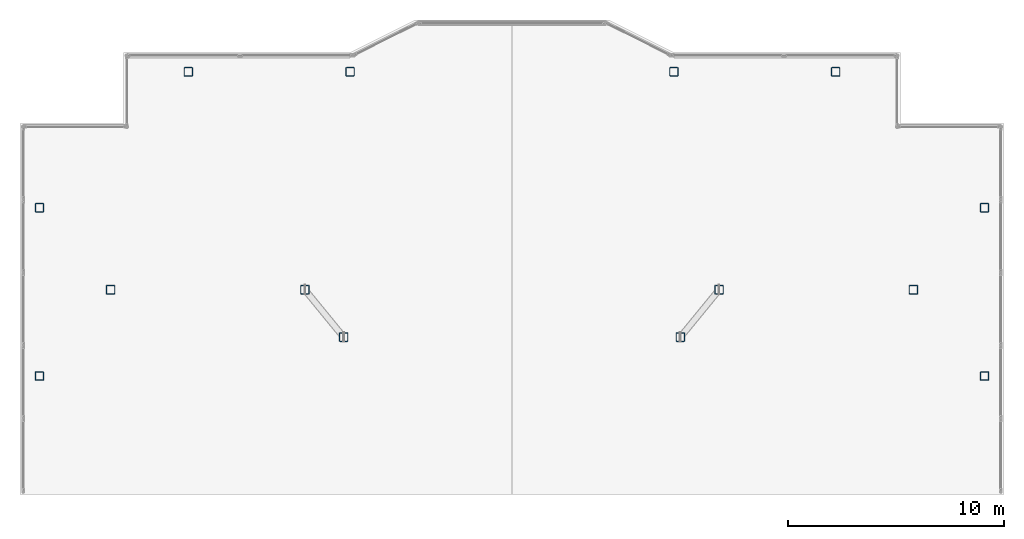
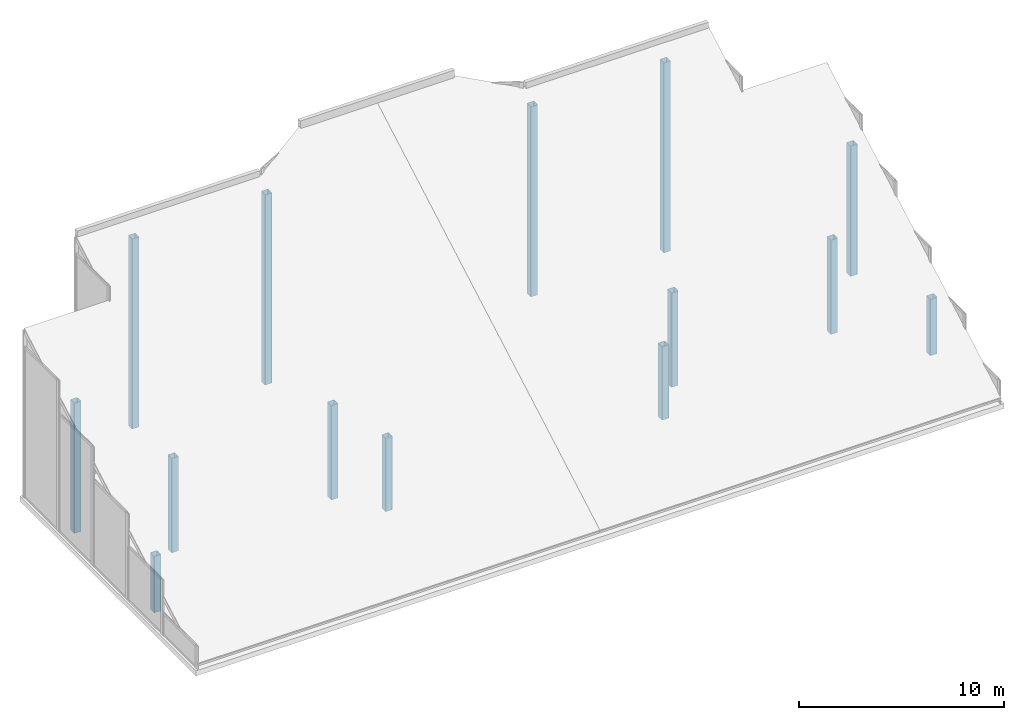
# One storey, part 1 of 11: 14 columns.
"""IFC4 building model written with IfcOpenShell, lengths in metres."""

from ifc_helpers import new_model, si_unit, direction, frame, origin, origin_2d, place, context, subcontext, project, spatial, hollow_rectangle, extrude, material, material_profile, profile_set, type_object, element, save


model = new_model("IFC4")

# Units and contexts
model_context = context("Model", 3, precision=1e-05, world=origin(), true_north=direction((0.0, 1.0)))
body_context = subcontext(model_context, "Body", "Model", "MODEL_VIEW")
ifc_project = project(units=[si_unit("LENGTHUNIT", "METRE"), si_unit("AREAUNIT", "SQUARE_METRE"), si_unit("VOLUMEUNIT", "CUBIC_METRE"), si_unit("PLANEANGLEUNIT", "RADIAN"), si_unit("MASSUNIT", "GRAM", prefix="KILO")], contexts=[model_context])

# Site, building, storey
site_placement = place(None, origin())
site = spatial("IfcSite", under=ifc_project, at=site_placement, CompositionType="ELEMENT")
building_placement = place(site_placement, origin())
building = spatial("IfcBuilding", under=site, at=building_placement, Name="Tarnavaz Court Tower", CompositionType="ELEMENT")
storey_placement = place(building_placement, frame((0.0, 0.0, 304.050048828125)))
storey = spatial("IfcBuildingStorey", under=building, at=storey_placement, Name="C06", CompositionType="ELEMENT", Elevation=304.050048828125)

# Columns
ifc_material = material(Name="Steel S355", Category="steel")
ifc_material_profile = material_profile(ifc_material, hollow_rectangle(XDim=0.39990234375, YDim=0.39990234375, WallThickness=0.02001953125, InnerFilletRadius=0.02001953125, OuterFilletRadius=0.0400390625, at=origin_2d()), Name="SHS 400X400X20")
ifc_profile_set = profile_set([ifc_material_profile], Name="Steel S355")
column_type = type_object("IfcColumnType", Name="CL-CR-SHS300", PredefinedType="USERDEFINED", material=ifc_profile_set)
for number, where, z_axis, x_axis, name in (
    (1, (-7.800048828125, 7.800048828125, 0.0), (0.0, 0.0, 1.0), (1.0, 0.0, 0.0), "C06 Column IW-NW"),
    (2, (7.800048828125, 7.800048828125, 0.0), (0.0, 0.0, 1.0), (1.0, 0.0, 0.0), "C06 Column IW-NE"),
):
    element("IfcColumn", number, at=place(storey_placement, frame(where, z_axis=z_axis, x_axis=x_axis)), inside=storey, type_object=column_type, Name=name, ObjectType="CROWN FRAME", PredefinedType="USERDEFINED", context=body_context, shape_type="SweptSolid", body=[
        extrude(hollow_rectangle(XDim=0.39990234375, YDim=0.39990234375, WallThickness=0.02001953125, InnerFilletRadius=0.02001953125, OuterFilletRadius=0.0400390625, at=origin_2d()), origin(), (0.0, 0.0, 1.0), 4.376220703125),
    ])
for number, where, z_axis, x_axis, name in (
    (3, (-9.60009765625, 10.0, 0.0), (0.0, 0.0, 1.0), (1.0, 0.0, 0.0), "C06 Column CW-NI"),
    (4, (9.60009765625, 10.0, 0.0), (0.0, 0.0, 1.0), (1.0, 0.0, 0.0), "C06 Column CE-NI"),
    (5, (-18.60009765625, 10.0, 0.0), (0.0, 0.0, 1.0), (1.0, 0.0, 0.0), "C06 Column CW-NO"),
    (6, (18.60009765625, 10.0, 0.0), (0.0, 0.0, 1.0), (1.0, 0.0, 0.0), "C06 Column CE-NO"),
):
    element("IfcColumn", number, at=place(storey_placement, frame(where, z_axis=z_axis, x_axis=x_axis)), inside=storey, type_object=column_type, Name=name, ObjectType="CROWN FRAME", PredefinedType="USERDEFINED", context=body_context, shape_type="SweptSolid", body=[
        extrude(hollow_rectangle(XDim=0.39990234375, YDim=0.39990234375, WallThickness=0.02001953125, InnerFilletRadius=0.02001953125, OuterFilletRadius=0.0400390625, at=origin_2d()), origin(), (0.0, 0.0, 1.0), 5.62060546875),
    ])
for number, where, z_axis, x_axis, name in (
    (7, (-15.0, 20.10009765625, 0.0), (0.0, 0.0, 1.0), (1.0, 0.0, 0.0), "C06 Column PN-1"),
    (8, (-7.5, 20.10009765625, 0.0), (0.0, 0.0, 1.0), (1.0, 0.0, 0.0), "C06 Column PN-2"),
    (9, (7.5, 20.10009765625, 0.0), (0.0, 0.0, 1.0), (1.0, 0.0, 0.0), "C06 Column PN-3"),
    (10, (15.0, 20.10009765625, 0.0), (0.0, 0.0, 1.0), (1.0, 0.0, 0.0), "C06 Column PN-4"),
):
    element("IfcColumn", number, at=place(storey_placement, frame(where, z_axis=z_axis, x_axis=x_axis)), inside=storey, type_object=column_type, Name=name, ObjectType="CROWN FRAME", PredefinedType="USERDEFINED", context=body_context, shape_type="SweptSolid", body=[
        extrude(hollow_rectangle(XDim=0.39990234375, YDim=0.39990234375, WallThickness=0.02001953125, InnerFilletRadius=0.02001953125, OuterFilletRadius=0.0400390625, at=origin_2d()), origin(), (0.0, 0.0, 1.0), 11.332763671875),
    ])
column_1_placement = place(storey_placement, frame((21.89990234375, 6.0, 0.0), z_axis=(0.0, 0.0, 1.0), x_axis=(1.0, 0.0, 0.0)))
element("IfcColumn", 11, at=column_1_placement, inside=storey, type_object=column_type, Name="C06 Column PE-3", ObjectType="CROWN FRAME", PredefinedType="USERDEFINED", context=body_context, shape_type="SweptSolid", body=[
    extrude(hollow_rectangle(XDim=0.39990234375, YDim=0.39990234375, WallThickness=0.02001953125, InnerFilletRadius=0.02001953125, OuterFilletRadius=0.0400390625, at=origin_2d()), origin(), (0.0, 0.0, 1.0), 3.358154296875),
])
column_2_placement = place(storey_placement, frame((21.89990234375, 13.800048828125, 0.0), z_axis=(0.0, 0.0, 1.0), x_axis=(1.0, 0.0, 0.0)))
element("IfcColumn", 12, at=column_2_placement, inside=storey, type_object=column_type, Name="C06 Column PE-4", ObjectType="CROWN FRAME", PredefinedType="USERDEFINED", context=body_context, shape_type="SweptSolid", body=[
    extrude(hollow_rectangle(XDim=0.39990234375, YDim=0.39990234375, WallThickness=0.02001953125, InnerFilletRadius=0.02001953125, OuterFilletRadius=0.0400390625, at=origin_2d()), origin(), (0.0, 0.0, 1.0), 7.76953125),
])
column_3_placement = place(storey_placement, frame((-21.89990234375, 6.0, 0.0), z_axis=(0.0, 0.0, 1.0), x_axis=(1.0, 0.0, 0.0)))
element("IfcColumn", 13, at=column_3_placement, inside=storey, type_object=column_type, Name="C06 Column PW-3", ObjectType="CROWN FRAME", PredefinedType="USERDEFINED", context=body_context, shape_type="SweptSolid", body=[
    extrude(hollow_rectangle(XDim=0.39990234375, YDim=0.39990234375, WallThickness=0.02001953125, InnerFilletRadius=0.02001953125, OuterFilletRadius=0.0400390625, at=origin_2d()), origin(), (0.0, 0.0, 1.0), 3.358154296875),
])
column_4_placement = place(storey_placement, frame((-21.89990234375, 13.800048828125, 0.0), z_axis=(0.0, 0.0, 1.0), x_axis=(1.0, 0.0, 0.0)))
element("IfcColumn", 14, at=column_4_placement, inside=storey, type_object=column_type, Name="C06 Column PW-4", ObjectType="CROWN FRAME", PredefinedType="USERDEFINED", context=body_context, shape_type="SweptSolid", body=[
    extrude(hollow_rectangle(XDim=0.39990234375, YDim=0.39990234375, WallThickness=0.02001953125, InnerFilletRadius=0.02001953125, OuterFilletRadius=0.0400390625, at=origin_2d()), origin(), (0.0, 0.0, 1.0), 7.76953125),
])

save(model, "model.ifc")
